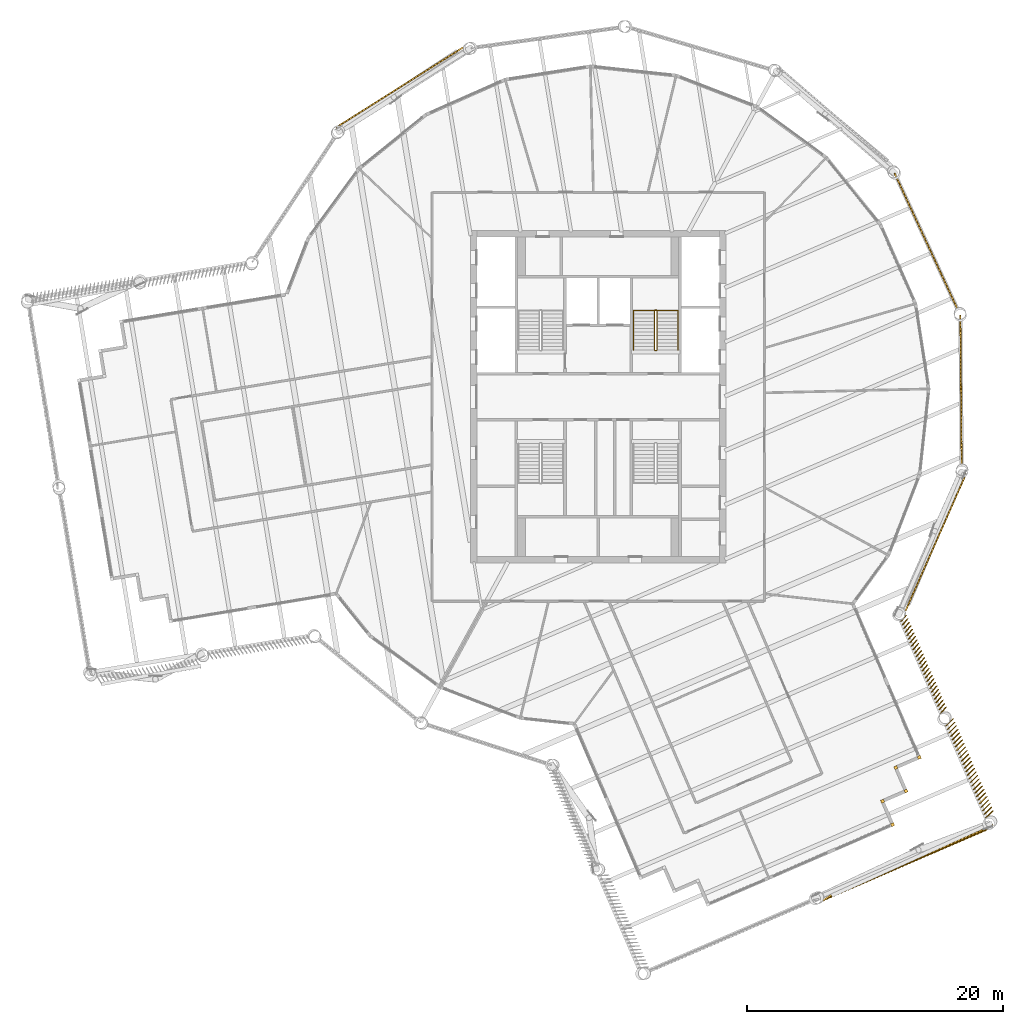
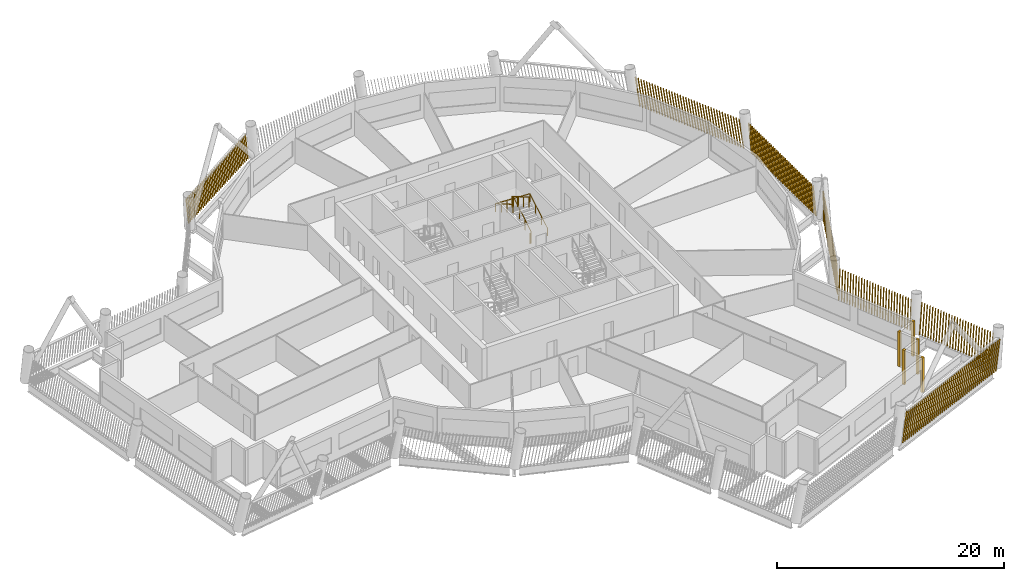
# One storey, part 21 of 23: 12 shading devices, 2 railings.
"""IFC4 building model written with IfcOpenShell, lengths in metres."""

from ifc_helpers import new_model, si_unit, direction, frame, frame_2d, origin, origin_2d, place, context, subcontext, project, spatial, rectangle, circle, composite_profile, extrude, material, type_object, element, save


model = new_model("IFC4")

# Units and contexts
model_context = context("Model", 3, precision=1e-05, world=origin(), true_north=direction((0.0, 1.0)))
body_context = subcontext(model_context, "Body", "Model", "MODEL_VIEW")
ifc_project = project(units=[si_unit("LENGTHUNIT", "METRE"), si_unit("AREAUNIT", "SQUARE_METRE"), si_unit("VOLUMEUNIT", "CUBIC_METRE"), si_unit("PLANEANGLEUNIT", "RADIAN"), si_unit("MASSUNIT", "GRAM", prefix="KILO")], contexts=[model_context])

# Site, building, storey
site_placement = place(None, origin())
site = spatial("IfcSite", under=ifc_project, at=site_placement, CompositionType="ELEMENT")
building_placement = place(site_placement, origin())
building = spatial("IfcBuilding", under=site, at=building_placement, Name="Tarsis Ring Headquarters", CompositionType="ELEMENT")
storey_placement = place(building_placement, frame((0.0, 0.0, 323.60009765625)))
storey = spatial("IfcBuildingStorey", under=building, at=storey_placement, Name="L76", CompositionType="ELEMENT", Elevation=323.60009765625)

# Railings
ifc_material_1 = material(Name="Steel S355", Category="steel")
railing_type_1 = type_object("IfcRailingType", Name="Core stair guard 1100", PredefinedType="GUARDRAIL", material=ifc_material_1)
railing_1_placement = place(storey_placement, frame((4.4599609375, 3.610107421875, 0.0)))
element("IfcRailing", 1, at=railing_1_placement, inside=storey, type_object=railing_type_1, Name="L76 ST2 stair guard 1", PredefinedType="GUARDRAIL", context=body_context, shape_type="SweptSolid", body=[
    extrude(circle(Radius=0.02392578125, at=origin_2d()), frame((0.0, 0.0, 1.076171875), z_axis=(1.0, 0.0, 0.0), x_axis=(0.0, 1.0, 0.0)), (0.0, 0.0, 1.0), 0.080078125),
    extrude(circle(Radius=0.02392578125, at=origin_2d()), frame((0.080078125, 0.0, 1.076171875), z_axis=(0.282693820306, 0.281314826061, 0.917031173188), x_axis=(-0.705375805398, 0.708833529934, 0.0)), (0.0, 0.0, 1.0), 0.177001953125),
    extrude(circle(Radius=0.02392578125, at=origin_2d()), frame((0.130126953125, 0.0498046875, 1.23828125), z_axis=(0.0, 0.864890721111, 0.501960198159), x_axis=(-1.0, 0.0, 0.0)), (0.0, 0.0, 1.0), 3.561279296875),
    extrude(circle(Radius=0.02392578125, at=origin_2d()), frame((0.130126953125, 3.1298828125, 3.02587890625), z_axis=(-0.707106781187, 0.707106781187, 0.0), x_axis=(-0.707106781187, -0.707106781187, 0.0)), (0.0, 0.0, 1.0), 0.07080078125),
    extrude(circle(Radius=0.02392578125, at=origin_2d()), frame((0.080078125, 3.179931640625, 3.02587890625), z_axis=(-1.0, 0.0, 0.0), x_axis=(0.0, -1.0, 0.0)), (0.0, 0.0, 1.0), 0.080078125),
    extrude(circle(Radius=0.02392578125, at=origin_2d()), frame((0.0, 3.179931640625, 3.02587890625), z_axis=(-0.282583949758, -0.282583949758, 0.916674763849), x_axis=(0.707106781187, -0.707106781187, 0.0)), (0.0, 0.0, 1.0), 0.177001953125),
    extrude(circle(Radius=0.02392578125, at=origin_2d()), frame((-0.050048828125, 3.1298828125, 3.1884765625), z_axis=(0.0, -0.864890721111, 0.501960198159), x_axis=(1.0, 0.0, 0.0)), (0.0, 0.0, 1.0), 3.561279296875),
    extrude(circle(Radius=0.02099609375, at=origin_2d()), origin(), (0.0, 0.0, 1.0), 1.052001953125),
    extrude(circle(Radius=0.02099609375, at=origin_2d()), frame((0.080078125, 0.0, 0.0)), (0.0, 0.0, 1.0), 1.052001953125),
    extrude(circle(Radius=0.02099609375, at=origin_2d()), frame((0.130126953125, 0.0498046875, 0.162353515625)), (0.0, 0.0, 1.0), 1.052001953125),
    extrude(circle(Radius=0.02099609375, at=origin_2d()), frame((0.130126953125, 1.076416015625, 0.75830078125)), (0.0, 0.0, 1.0), 1.052001953125),
    extrude(circle(Radius=0.02099609375, at=origin_2d()), frame((0.130126953125, 2.103271484375, 1.35400390625)), (0.0, 0.0, 1.0), 1.052001953125),
    extrude(circle(Radius=0.02099609375, at=origin_2d()), frame((0.130126953125, 3.1298828125, 1.949951171875)), (0.0, 0.0, 1.0), 1.052001953125),
    extrude(circle(Radius=0.02099609375, at=origin_2d()), frame((0.080078125, 3.179931640625, 1.949951171875)), (0.0, 0.0, 1.0), 1.052001953125),
    extrude(circle(Radius=0.02099609375, at=origin_2d()), frame((0.0, 3.179931640625, 1.949951171875)), (0.0, 0.0, 1.0), 1.052001953125),
    extrude(circle(Radius=0.02099609375, at=origin_2d()), frame((-0.050048828125, 3.1298828125, 2.1123046875)), (0.0, 0.0, 1.0), 1.052001953125),
    extrude(circle(Radius=0.02099609375, at=origin_2d()), frame((-0.050048828125, 2.103271484375, 2.708251953125)), (0.0, 0.0, 1.0), 1.052001953125),
    extrude(circle(Radius=0.02099609375, at=origin_2d()), frame((-0.050048828125, 1.076416015625, 3.303955078125)), (0.0, 0.0, 1.0), 1.052001953125),
    extrude(circle(Radius=0.02099609375, at=origin_2d()), frame((-0.050048828125, 0.0498046875, 3.89990234375)), (0.0, 0.0, 1.0), 1.052001953125),
])
railing_type_2 = type_object("IfcRailingType", Name="Core stair handrail 900", PredefinedType="HANDRAIL", material=ifc_material_1)
railing_2_placement = place(storey_placement, frame((6.25, 3.659912109375, 0.162353515625)))
element("IfcRailing", 2, at=railing_2_placement, inside=storey, type_object=railing_type_2, Name="L76 ST2 stair handrail 1", PredefinedType="HANDRAIL", context=body_context, shape_type="SweptSolid", body=[
    extrude(circle(Radius=0.02392578125, at=origin_2d()), frame((0.0, 0.0, 0.8759765625), z_axis=(0.0, 0.864890721111, 0.501960198159), x_axis=(-1.0, 0.0, 0.0)), (0.0, 0.0, 1.0), 3.561279296875),
    extrude(circle(Radius=0.02392578125, at=origin_2d()), frame((0.0, 3.080078125, 2.66357421875), z_axis=(-0.998925869279, 0.0, 0.04633689335), x_axis=(0.0, -1.0, 0.0)), (0.0, 0.0, 1.0), 3.503662109375),
    extrude(circle(Radius=0.02392578125, at=origin_2d()), frame((-3.5, 3.080078125, 2.82568359375), z_axis=(0.0, -0.864890721111, 0.501960198159), x_axis=(1.0, 0.0, 0.0)), (0.0, 0.0, 1.0), 3.561279296875),
    extrude(circle(Radius=0.02099609375, at=origin_2d()), origin(), (0.0, 0.0, 1.0), 0.851806640625),
    extrude(circle(Radius=0.02099609375, at=origin_2d()), frame((0.0, 1.026611328125, 0.595947265625)), (0.0, 0.0, 1.0), 0.851806640625),
    extrude(circle(Radius=0.02099609375, at=origin_2d()), frame((0.0, 2.053466796875, 1.191650390625)), (0.0, 0.0, 1.0), 0.851806640625),
    extrude(circle(Radius=0.02099609375, at=origin_2d()), frame((0.0, 3.080078125, 1.78759765625)), (0.0, 0.0, 1.0), 0.851806640625),
    extrude(circle(Radius=0.02099609375, at=origin_2d()), frame((-1.166748046875, 3.080078125, 1.841796875)), (0.0, 0.0, 1.0), 0.851806640625),
    extrude(circle(Radius=0.02099609375, at=origin_2d()), frame((-2.333251953125, 3.080078125, 1.895751953125)), (0.0, 0.0, 1.0), 0.851806640625),
    extrude(circle(Radius=0.02099609375, at=origin_2d()), frame((-3.5, 3.080078125, 1.949951171875)), (0.0, 0.0, 1.0), 0.851806640625),
    extrude(circle(Radius=0.02099609375, at=origin_2d()), frame((-3.5, 2.053466796875, 2.5458984375)), (0.0, 0.0, 1.0), 0.851806640625),
    extrude(circle(Radius=0.02099609375, at=origin_2d()), frame((-3.5, 1.026611328125, 3.1416015625)), (0.0, 0.0, 1.0), 0.851806640625),
    extrude(circle(Radius=0.02099609375, at=origin_2d()), frame((-3.5, 0.0, 3.737548828125)), (0.0, 0.0, 1.0), 0.851806640625),
])

# Shading devices
ifc_material_2 = material(Name="Terracotta baguette", Category="masonry")
shading_device_type_1 = type_object("IfcShadingDeviceType", Name="Terracotta baguette screen", PredefinedType="USERDEFINED", material=ifc_material_2)
shading_device_1_placement = place(storey_placement, frame((17.578125, -39.437744140625, 0.0), z_axis=(0.0, 0.0, 1.0), x_axis=(0.918036267138, 0.396497125166, 0.0)))
element("IfcShadingDevice", 3, at=shading_device_1_placement, inside=storey, type_object=shading_device_type_1, Name="Baguette screen L76-04", ObjectType="Terracotta baguette screen", PredefinedType="USERDEFINED", context=body_context, shape_type="SweptSolid", body=[
    extrude(composite_profile([rectangle(XDim=0.06005859375, YDim=0.1201171875, at=frame_2d((0.030029296875, 0.0))), rectangle(XDim=0.06005859375, YDim=0.1201171875, at=frame_2d((0.33544921875, 0.0))), rectangle(XDim=0.06005859375, YDim=0.1201171875, at=frame_2d((0.640625, 0.0))), rectangle(XDim=0.06005859375, YDim=0.1201171875, at=frame_2d((0.946044921875, 0.0))), rectangle(XDim=0.06005859375, YDim=0.1201171875, at=frame_2d((1.25146484375, 0.0))), rectangle(XDim=0.06005859375, YDim=0.1201171875, at=frame_2d((1.556640625, 0.0))), rectangle(XDim=0.06005859375, YDim=0.1201171875, at=frame_2d((1.862060546875, 0.0))), rectangle(XDim=0.06005859375, YDim=0.1201171875, at=frame_2d((2.16748046875, 0.0))), rectangle(XDim=0.06005859375, YDim=0.1201171875, at=frame_2d((2.47265625, 0.0))), rectangle(XDim=0.06005859375, YDim=0.1201171875, at=frame_2d((2.778076171875, 0.0))), rectangle(XDim=0.06005859375, YDim=0.1201171875, at=frame_2d((3.08349609375, 0.0))), rectangle(XDim=0.06005859375, YDim=0.1201171875, at=frame_2d((3.388671875, 0.0))), rectangle(XDim=0.06005859375, YDim=0.1201171875, at=frame_2d((3.694091796875, 0.0))), rectangle(XDim=0.06005859375, YDim=0.1201171875, at=frame_2d((3.99951171875, 0.0))), rectangle(XDim=0.06005859375, YDim=0.1201171875, at=frame_2d((4.3046875, 0.0))), rectangle(XDim=0.06005859375, YDim=0.1201171875, at=frame_2d((4.610107421875, 0.0))), rectangle(XDim=0.06005859375, YDim=0.1201171875, at=frame_2d((4.91552734375, 0.0))), rectangle(XDim=0.06005859375, YDim=0.1201171875, at=frame_2d((5.220703125, 0.0))), rectangle(XDim=0.06005859375, YDim=0.1201171875, at=frame_2d((5.526123046875, 0.0))), rectangle(XDim=0.06005859375, YDim=0.1201171875, at=frame_2d((5.83154296875, 0.0))), rectangle(XDim=0.06005859375, YDim=0.1201171875, at=frame_2d((6.13671875, 0.0))), rectangle(XDim=0.06005859375, YDim=0.1201171875, at=frame_2d((6.442138671875, 0.0))), rectangle(XDim=0.06005859375, YDim=0.1201171875, at=frame_2d((6.74755859375, 0.0))), rectangle(XDim=0.06005859375, YDim=0.1201171875, at=frame_2d((7.052734375, 0.0))), rectangle(XDim=0.06005859375, YDim=0.1201171875, at=frame_2d((7.358154296875, 0.0))), rectangle(XDim=0.06005859375, YDim=0.1201171875, at=frame_2d((7.66357421875, 0.0))), rectangle(XDim=0.06005859375, YDim=0.1201171875, at=frame_2d((7.96875, 0.0))), rectangle(XDim=0.06005859375, YDim=0.1201171875, at=frame_2d((8.274169921875, 0.0))), rectangle(XDim=0.06005859375, YDim=0.1201171875, at=frame_2d((8.57958984375, 0.0))), rectangle(XDim=0.06005859375, YDim=0.1201171875, at=frame_2d((8.884765625, 0.0))), rectangle(XDim=0.06005859375, YDim=0.1201171875, at=frame_2d((9.190185546875, 0.0))), rectangle(XDim=0.06005859375, YDim=0.1201171875, at=frame_2d((9.49560546875, 0.0))), rectangle(XDim=0.06005859375, YDim=0.1201171875, at=frame_2d((9.80078125, 0.0))), rectangle(XDim=0.06005859375, YDim=0.1201171875, at=frame_2d((10.106201171875, 0.0))), rectangle(XDim=0.06005859375, YDim=0.1201171875, at=frame_2d((10.41162109375, 0.0))), rectangle(XDim=0.06005859375, YDim=0.1201171875, at=frame_2d((10.716796875, 0.0))), rectangle(XDim=0.06005859375, YDim=0.1201171875, at=frame_2d((11.022216796875, 0.0))), rectangle(XDim=0.06005859375, YDim=0.1201171875, at=frame_2d((11.32763671875, 0.0))), rectangle(XDim=0.06005859375, YDim=0.1201171875, at=frame_2d((11.6328125, 0.0))), rectangle(XDim=0.06005859375, YDim=0.1201171875, at=frame_2d((11.938232421875, 0.0))), rectangle(XDim=0.06005859375, YDim=0.1201171875, at=frame_2d((12.24365234375, 0.0))), rectangle(XDim=0.06005859375, YDim=0.1201171875, at=frame_2d((12.548828125, 0.0))), rectangle(XDim=0.06005859375, YDim=0.1201171875, at=frame_2d((12.854248046875, 0.0))), rectangle(XDim=0.06005859375, YDim=0.1201171875, at=frame_2d((13.15966796875, 0.0))), rectangle(XDim=0.06005859375, YDim=0.1201171875, at=frame_2d((13.46484375, 0.0))), rectangle(XDim=0.06005859375, YDim=0.1201171875, at=frame_2d((13.770263671875, 0.0)))]), origin(), (0.254659036662, 0.046033123197, 0.965934638894), 3.072509765625),
])
shading_device_2_placement = place(storey_placement, frame((30.359130859375, -32.96435546875, 0.0), z_axis=(0.0, 0.0, 1.0), x_axis=(-0.39651496895, 0.918033799858, 0.0)))
element("IfcShadingDevice", 4, at=shading_device_2_placement, inside=storey, type_object=shading_device_type_1, Name="Baguette screen L76-05", ObjectType="Terracotta baguette screen", PredefinedType="USERDEFINED", context=body_context, shape_type="SweptSolid", body=[
    extrude(composite_profile([rectangle(XDim=0.06005859375, YDim=0.1201171875, at=frame_2d((0.030029296875, 0.0))), rectangle(XDim=0.06005859375, YDim=0.1201171875, at=frame_2d((0.33154296875, 0.0))), rectangle(XDim=0.06005859375, YDim=0.1201171875, at=frame_2d((0.63330078125, 0.0))), rectangle(XDim=0.06005859375, YDim=0.1201171875, at=frame_2d((0.934814453125, 0.0))), rectangle(XDim=0.06005859375, YDim=0.1201171875, at=frame_2d((1.236572265625, 0.0))), rectangle(XDim=0.06005859375, YDim=0.1201171875, at=frame_2d((1.5380859375, 0.0))), rectangle(XDim=0.06005859375, YDim=0.1201171875, at=frame_2d((1.83984375, 0.0))), rectangle(XDim=0.06005859375, YDim=0.1201171875, at=frame_2d((2.141357421875, 0.0))), rectangle(XDim=0.06005859375, YDim=0.1201171875, at=frame_2d((2.443115234375, 0.0))), rectangle(XDim=0.06005859375, YDim=0.1201171875, at=frame_2d((2.74462890625, 0.0))), rectangle(XDim=0.06005859375, YDim=0.1201171875, at=frame_2d((3.04638671875, 0.0))), rectangle(XDim=0.06005859375, YDim=0.1201171875, at=frame_2d((3.347900390625, 0.0))), rectangle(XDim=0.06005859375, YDim=0.1201171875, at=frame_2d((3.649658203125, 0.0))), rectangle(XDim=0.06005859375, YDim=0.1201171875, at=frame_2d((3.951171875, 0.0))), rectangle(XDim=0.06005859375, YDim=0.1201171875, at=frame_2d((4.252685546875, 0.0))), rectangle(XDim=0.06005859375, YDim=0.1201171875, at=frame_2d((4.554443359375, 0.0))), rectangle(XDim=0.06005859375, YDim=0.1201171875, at=frame_2d((4.85595703125, 0.0))), rectangle(XDim=0.06005859375, YDim=0.1201171875, at=frame_2d((5.15771484375, 0.0))), rectangle(XDim=0.06005859375, YDim=0.1201171875, at=frame_2d((5.459228515625, 0.0))), rectangle(XDim=0.06005859375, YDim=0.1201171875, at=frame_2d((5.760986328125, 0.0))), rectangle(XDim=0.06005859375, YDim=0.1201171875, at=frame_2d((6.0625, 0.0))), rectangle(XDim=0.06005859375, YDim=0.1201171875, at=frame_2d((6.3642578125, 0.0))), rectangle(XDim=0.06005859375, YDim=0.1201171875, at=frame_2d((6.665771484375, 0.0))), rectangle(XDim=0.06005859375, YDim=0.1201171875, at=frame_2d((6.967529296875, 0.0))), rectangle(XDim=0.06005859375, YDim=0.1201171875, at=frame_2d((7.26904296875, 0.0))), rectangle(XDim=0.06005859375, YDim=0.1201171875, at=frame_2d((7.57080078125, 0.0))), rectangle(XDim=0.06005859375, YDim=0.1201171875, at=frame_2d((7.872314453125, 0.0)))]), origin(), (0.089846360678, -0.226662432565, 0.969820485006), 3.06005859375),
])
shading_device_3_placement = place(storey_placement, frame((26.829345703125, -24.7919921875, 0.0), z_axis=(0.0, 0.0, 1.0), x_axis=(-0.396502718735, 0.91803633218, 0.0)))
element("IfcShadingDevice", 5, at=shading_device_3_placement, inside=storey, type_object=shading_device_type_1, Name="Baguette screen L76-06", ObjectType="Terracotta baguette screen", PredefinedType="USERDEFINED", context=body_context, shape_type="SweptSolid", body=[
    extrude(composite_profile([rectangle(XDim=0.06005859375, YDim=0.1201171875, at=frame_2d((0.030029296875, 0.0))), rectangle(XDim=0.06005859375, YDim=0.1201171875, at=frame_2d((0.33154296875, 0.0))), rectangle(XDim=0.06005859375, YDim=0.1201171875, at=frame_2d((0.63330078125, 0.0))), rectangle(XDim=0.06005859375, YDim=0.1201171875, at=frame_2d((0.934814453125, 0.0))), rectangle(XDim=0.06005859375, YDim=0.1201171875, at=frame_2d((1.236572265625, 0.0))), rectangle(XDim=0.06005859375, YDim=0.1201171875, at=frame_2d((1.5380859375, 0.0))), rectangle(XDim=0.06005859375, YDim=0.1201171875, at=frame_2d((1.83984375, 0.0))), rectangle(XDim=0.06005859375, YDim=0.1201171875, at=frame_2d((2.141357421875, 0.0))), rectangle(XDim=0.06005859375, YDim=0.1201171875, at=frame_2d((2.443115234375, 0.0))), rectangle(XDim=0.06005859375, YDim=0.1201171875, at=frame_2d((2.74462890625, 0.0))), rectangle(XDim=0.06005859375, YDim=0.1201171875, at=frame_2d((3.04638671875, 0.0))), rectangle(XDim=0.06005859375, YDim=0.1201171875, at=frame_2d((3.347900390625, 0.0))), rectangle(XDim=0.06005859375, YDim=0.1201171875, at=frame_2d((3.649658203125, 0.0))), rectangle(XDim=0.06005859375, YDim=0.1201171875, at=frame_2d((3.951171875, 0.0))), rectangle(XDim=0.06005859375, YDim=0.1201171875, at=frame_2d((4.252685546875, 0.0))), rectangle(XDim=0.06005859375, YDim=0.1201171875, at=frame_2d((4.554443359375, 0.0))), rectangle(XDim=0.06005859375, YDim=0.1201171875, at=frame_2d((4.85595703125, 0.0))), rectangle(XDim=0.06005859375, YDim=0.1201171875, at=frame_2d((5.15771484375, 0.0))), rectangle(XDim=0.06005859375, YDim=0.1201171875, at=frame_2d((5.459228515625, 0.0))), rectangle(XDim=0.06005859375, YDim=0.1201171875, at=frame_2d((5.760986328125, 0.0))), rectangle(XDim=0.06005859375, YDim=0.1201171875, at=frame_2d((6.0625, 0.0))), rectangle(XDim=0.06005859375, YDim=0.1201171875, at=frame_2d((6.3642578125, 0.0))), rectangle(XDim=0.06005859375, YDim=0.1201171875, at=frame_2d((6.665771484375, 0.0))), rectangle(XDim=0.06005859375, YDim=0.1201171875, at=frame_2d((6.967529296875, 0.0))), rectangle(XDim=0.06005859375, YDim=0.1201171875, at=frame_2d((7.26904296875, 0.0))), rectangle(XDim=0.06005859375, YDim=0.1201171875, at=frame_2d((7.57080078125, 0.0))), rectangle(XDim=0.06005859375, YDim=0.1201171875, at=frame_2d((7.872314453125, 0.0)))]), origin(), (0.09033343544, -0.175735020747, 0.980284179677), 3.02734375),
])
shading_device_4_placement = place(storey_placement, frame((24.04296875, -16.772705078125, 0.0), z_axis=(0.0, 0.0, 1.0), x_axis=(0.404145415084, 0.914704286489, 0.0)))
element("IfcShadingDevice", 6, at=shading_device_4_placement, inside=storey, type_object=shading_device_type_1, Name="Baguette screen L76-07", ObjectType="Terracotta baguette screen", PredefinedType="USERDEFINED", context=body_context, shape_type="SweptSolid", body=[
    extrude(composite_profile([rectangle(XDim=0.06005859375, YDim=0.1201171875, at=frame_2d((0.030029296875, 0.0))), rectangle(XDim=0.06005859375, YDim=0.1201171875, at=frame_2d((0.33251953125, 0.0))), rectangle(XDim=0.06005859375, YDim=0.1201171875, at=frame_2d((0.634765625, 0.0))), rectangle(XDim=0.06005859375, YDim=0.1201171875, at=frame_2d((0.937255859375, 0.0))), rectangle(XDim=0.06005859375, YDim=0.1201171875, at=frame_2d((1.239501953125, 0.0))), rectangle(XDim=0.06005859375, YDim=0.1201171875, at=frame_2d((1.5419921875, 0.0))), rectangle(XDim=0.06005859375, YDim=0.1201171875, at=frame_2d((1.844482421875, 0.0))), rectangle(XDim=0.06005859375, YDim=0.1201171875, at=frame_2d((2.146728515625, 0.0))), rectangle(XDim=0.06005859375, YDim=0.1201171875, at=frame_2d((2.44921875, 0.0))), rectangle(XDim=0.06005859375, YDim=0.1201171875, at=frame_2d((2.751708984375, 0.0))), rectangle(XDim=0.06005859375, YDim=0.1201171875, at=frame_2d((3.053955078125, 0.0))), rectangle(XDim=0.06005859375, YDim=0.1201171875, at=frame_2d((3.3564453125, 0.0))), rectangle(XDim=0.06005859375, YDim=0.1201171875, at=frame_2d((3.65869140625, 0.0))), rectangle(XDim=0.06005859375, YDim=0.1201171875, at=frame_2d((3.961181640625, 0.0))), rectangle(XDim=0.06005859375, YDim=0.1201171875, at=frame_2d((4.263671875, 0.0))), rectangle(XDim=0.06005859375, YDim=0.1201171875, at=frame_2d((4.56591796875, 0.0))), rectangle(XDim=0.06005859375, YDim=0.1201171875, at=frame_2d((4.868408203125, 0.0))), rectangle(XDim=0.06005859375, YDim=0.1201171875, at=frame_2d((5.1708984375, 0.0))), rectangle(XDim=0.06005859375, YDim=0.1201171875, at=frame_2d((5.47314453125, 0.0))), rectangle(XDim=0.06005859375, YDim=0.1201171875, at=frame_2d((5.775634765625, 0.0))), rectangle(XDim=0.06005859375, YDim=0.1201171875, at=frame_2d((6.077880859375, 0.0))), rectangle(XDim=0.06005859375, YDim=0.1201171875, at=frame_2d((6.38037109375, 0.0))), rectangle(XDim=0.06005859375, YDim=0.1201171875, at=frame_2d((6.682861328125, 0.0))), rectangle(XDim=0.06005859375, YDim=0.1201171875, at=frame_2d((6.985107421875, 0.0))), rectangle(XDim=0.06005859375, YDim=0.1201171875, at=frame_2d((7.28759765625, 0.0))), rectangle(XDim=0.06005859375, YDim=0.1201171875, at=frame_2d((7.590087890625, 0.0))), rectangle(XDim=0.06005859375, YDim=0.1201171875, at=frame_2d((7.892333984375, 0.0))), rectangle(XDim=0.06005859375, YDim=0.1201171875, at=frame_2d((8.19482421875, 0.0))), rectangle(XDim=0.06005859375, YDim=0.1201171875, at=frame_2d((8.4970703125, 0.0))), rectangle(XDim=0.06005859375, YDim=0.1201171875, at=frame_2d((8.799560546875, 0.0))), rectangle(XDim=0.06005859375, YDim=0.1201171875, at=frame_2d((9.10205078125, 0.0))), rectangle(XDim=0.06005859375, YDim=0.1201171875, at=frame_2d((9.404296875, 0.0))), rectangle(XDim=0.06005859375, YDim=0.1201171875, at=frame_2d((9.706787109375, 0.0))), rectangle(XDim=0.06005859375, YDim=0.1201171875, at=frame_2d((10.00927734375, 0.0))), rectangle(XDim=0.06005859375, YDim=0.1201171875, at=frame_2d((10.3115234375, 0.0))), rectangle(XDim=0.06005859375, YDim=0.1201171875, at=frame_2d((10.614013671875, 0.0))), rectangle(XDim=0.06005859375, YDim=0.1201171875, at=frame_2d((10.916259765625, 0.0))), rectangle(XDim=0.06005859375, YDim=0.1201171875, at=frame_2d((11.21875, 0.0)))]), origin(), (0.173295186446, 0.001568790913, 0.984868680205), 3.013427734375),
])
shading_device_5_placement = place(storey_placement, frame((28.44384765625, -5.37451171875, 0.0), z_axis=(0.0, 0.0, 1.0), x_axis=(-0.008790016278, 0.999956592512, 0.0)))
element("IfcShadingDevice", 7, at=shading_device_5_placement, inside=storey, type_object=shading_device_type_1, Name="Baguette screen L76-08", ObjectType="Terracotta baguette screen", PredefinedType="USERDEFINED", context=body_context, shape_type="SweptSolid", body=[
    extrude(composite_profile([rectangle(XDim=0.06005859375, YDim=0.1201171875, at=frame_2d((0.030029296875, 0.0))), rectangle(XDim=0.06005859375, YDim=0.1201171875, at=frame_2d((0.33251953125, 0.0))), rectangle(XDim=0.06005859375, YDim=0.1201171875, at=frame_2d((0.634765625, 0.0))), rectangle(XDim=0.06005859375, YDim=0.1201171875, at=frame_2d((0.937255859375, 0.0))), rectangle(XDim=0.06005859375, YDim=0.1201171875, at=frame_2d((1.239501953125, 0.0))), rectangle(XDim=0.06005859375, YDim=0.1201171875, at=frame_2d((1.5419921875, 0.0))), rectangle(XDim=0.06005859375, YDim=0.1201171875, at=frame_2d((1.844482421875, 0.0))), rectangle(XDim=0.06005859375, YDim=0.1201171875, at=frame_2d((2.146728515625, 0.0))), rectangle(XDim=0.06005859375, YDim=0.1201171875, at=frame_2d((2.44921875, 0.0))), rectangle(XDim=0.06005859375, YDim=0.1201171875, at=frame_2d((2.751708984375, 0.0))), rectangle(XDim=0.06005859375, YDim=0.1201171875, at=frame_2d((3.053955078125, 0.0))), rectangle(XDim=0.06005859375, YDim=0.1201171875, at=frame_2d((3.3564453125, 0.0))), rectangle(XDim=0.06005859375, YDim=0.1201171875, at=frame_2d((3.65869140625, 0.0))), rectangle(XDim=0.06005859375, YDim=0.1201171875, at=frame_2d((3.961181640625, 0.0))), rectangle(XDim=0.06005859375, YDim=0.1201171875, at=frame_2d((4.263671875, 0.0))), rectangle(XDim=0.06005859375, YDim=0.1201171875, at=frame_2d((4.56591796875, 0.0))), rectangle(XDim=0.06005859375, YDim=0.1201171875, at=frame_2d((4.868408203125, 0.0))), rectangle(XDim=0.06005859375, YDim=0.1201171875, at=frame_2d((5.1708984375, 0.0))), rectangle(XDim=0.06005859375, YDim=0.1201171875, at=frame_2d((5.47314453125, 0.0))), rectangle(XDim=0.06005859375, YDim=0.1201171875, at=frame_2d((5.775634765625, 0.0))), rectangle(XDim=0.06005859375, YDim=0.1201171875, at=frame_2d((6.077880859375, 0.0))), rectangle(XDim=0.06005859375, YDim=0.1201171875, at=frame_2d((6.38037109375, 0.0))), rectangle(XDim=0.06005859375, YDim=0.1201171875, at=frame_2d((6.682861328125, 0.0))), rectangle(XDim=0.06005859375, YDim=0.1201171875, at=frame_2d((6.985107421875, 0.0))), rectangle(XDim=0.06005859375, YDim=0.1201171875, at=frame_2d((7.28759765625, 0.0))), rectangle(XDim=0.06005859375, YDim=0.1201171875, at=frame_2d((7.590087890625, 0.0))), rectangle(XDim=0.06005859375, YDim=0.1201171875, at=frame_2d((7.892333984375, 0.0))), rectangle(XDim=0.06005859375, YDim=0.1201171875, at=frame_2d((8.19482421875, 0.0))), rectangle(XDim=0.06005859375, YDim=0.1201171875, at=frame_2d((8.4970703125, 0.0))), rectangle(XDim=0.06005859375, YDim=0.1201171875, at=frame_2d((8.799560546875, 0.0))), rectangle(XDim=0.06005859375, YDim=0.1201171875, at=frame_2d((9.10205078125, 0.0))), rectangle(XDim=0.06005859375, YDim=0.1201171875, at=frame_2d((9.404296875, 0.0))), rectangle(XDim=0.06005859375, YDim=0.1201171875, at=frame_2d((9.706787109375, 0.0))), rectangle(XDim=0.06005859375, YDim=0.1201171875, at=frame_2d((10.00927734375, 0.0))), rectangle(XDim=0.06005859375, YDim=0.1201171875, at=frame_2d((10.3115234375, 0.0))), rectangle(XDim=0.06005859375, YDim=0.1201171875, at=frame_2d((10.614013671875, 0.0))), rectangle(XDim=0.06005859375, YDim=0.1201171875, at=frame_2d((10.916259765625, 0.0))), rectangle(XDim=0.06005859375, YDim=0.1201171875, at=frame_2d((11.21875, 0.0)))]), origin(), (0.171100592788, 0.001552966931, 0.985252340998), 3.01220703125),
])
shading_device_6_placement = place(storey_placement, frame((28.130615234375, 6.82763671875, 0.0), z_axis=(0.0, 0.0, 1.0), x_axis=(-0.420206185567, 0.907433532284, 0.0)))
element("IfcShadingDevice", 8, at=shading_device_6_placement, inside=storey, type_object=shading_device_type_1, Name="Baguette screen L76-09", ObjectType="Terracotta baguette screen", PredefinedType="USERDEFINED", context=body_context, shape_type="SweptSolid", body=[
    extrude(composite_profile([rectangle(XDim=0.06005859375, YDim=0.1201171875, at=frame_2d((0.030029296875, 0.0))), rectangle(XDim=0.06005859375, YDim=0.1201171875, at=frame_2d((0.33251953125, 0.0))), rectangle(XDim=0.06005859375, YDim=0.1201171875, at=frame_2d((0.634765625, 0.0))), rectangle(XDim=0.06005859375, YDim=0.1201171875, at=frame_2d((0.937255859375, 0.0))), rectangle(XDim=0.06005859375, YDim=0.1201171875, at=frame_2d((1.239501953125, 0.0))), rectangle(XDim=0.06005859375, YDim=0.1201171875, at=frame_2d((1.5419921875, 0.0))), rectangle(XDim=0.06005859375, YDim=0.1201171875, at=frame_2d((1.844482421875, 0.0))), rectangle(XDim=0.06005859375, YDim=0.1201171875, at=frame_2d((2.146728515625, 0.0))), rectangle(XDim=0.06005859375, YDim=0.1201171875, at=frame_2d((2.44921875, 0.0))), rectangle(XDim=0.06005859375, YDim=0.1201171875, at=frame_2d((2.751708984375, 0.0))), rectangle(XDim=0.06005859375, YDim=0.1201171875, at=frame_2d((3.053955078125, 0.0))), rectangle(XDim=0.06005859375, YDim=0.1201171875, at=frame_2d((3.3564453125, 0.0))), rectangle(XDim=0.06005859375, YDim=0.1201171875, at=frame_2d((3.65869140625, 0.0))), rectangle(XDim=0.06005859375, YDim=0.1201171875, at=frame_2d((3.961181640625, 0.0))), rectangle(XDim=0.06005859375, YDim=0.1201171875, at=frame_2d((4.263671875, 0.0))), rectangle(XDim=0.06005859375, YDim=0.1201171875, at=frame_2d((4.56591796875, 0.0))), rectangle(XDim=0.06005859375, YDim=0.1201171875, at=frame_2d((4.868408203125, 0.0))), rectangle(XDim=0.06005859375, YDim=0.1201171875, at=frame_2d((5.1708984375, 0.0))), rectangle(XDim=0.06005859375, YDim=0.1201171875, at=frame_2d((5.47314453125, 0.0))), rectangle(XDim=0.06005859375, YDim=0.1201171875, at=frame_2d((5.775634765625, 0.0))), rectangle(XDim=0.06005859375, YDim=0.1201171875, at=frame_2d((6.077880859375, 0.0))), rectangle(XDim=0.06005859375, YDim=0.1201171875, at=frame_2d((6.38037109375, 0.0))), rectangle(XDim=0.06005859375, YDim=0.1201171875, at=frame_2d((6.682861328125, 0.0))), rectangle(XDim=0.06005859375, YDim=0.1201171875, at=frame_2d((6.985107421875, 0.0))), rectangle(XDim=0.06005859375, YDim=0.1201171875, at=frame_2d((7.28759765625, 0.0))), rectangle(XDim=0.06005859375, YDim=0.1201171875, at=frame_2d((7.590087890625, 0.0))), rectangle(XDim=0.06005859375, YDim=0.1201171875, at=frame_2d((7.892333984375, 0.0))), rectangle(XDim=0.06005859375, YDim=0.1201171875, at=frame_2d((8.19482421875, 0.0))), rectangle(XDim=0.06005859375, YDim=0.1201171875, at=frame_2d((8.4970703125, 0.0))), rectangle(XDim=0.06005859375, YDim=0.1201171875, at=frame_2d((8.799560546875, 0.0))), rectangle(XDim=0.06005859375, YDim=0.1201171875, at=frame_2d((9.10205078125, 0.0))), rectangle(XDim=0.06005859375, YDim=0.1201171875, at=frame_2d((9.404296875, 0.0))), rectangle(XDim=0.06005859375, YDim=0.1201171875, at=frame_2d((9.706787109375, 0.0))), rectangle(XDim=0.06005859375, YDim=0.1201171875, at=frame_2d((10.00927734375, 0.0))), rectangle(XDim=0.06005859375, YDim=0.1201171875, at=frame_2d((10.3115234375, 0.0))), rectangle(XDim=0.06005859375, YDim=0.1201171875, at=frame_2d((10.614013671875, 0.0))), rectangle(XDim=0.06005859375, YDim=0.1201171875, at=frame_2d((10.916259765625, 0.0))), rectangle(XDim=0.06005859375, YDim=0.1201171875, at=frame_2d((11.21875, 0.0)))]), origin(), (0.171102070389, 0.00154921104, 0.985252090307), 3.01220703125),
])
shading_device_7_placement = place(storey_placement, frame((-10.57958984375, 27.339599609375, 0.0), z_axis=(0.0, 0.0, 1.0), x_axis=(-0.846033640803, -0.533130765057, 0.0)))
element("IfcShadingDevice", 9, at=shading_device_7_placement, inside=storey, type_object=shading_device_type_1, Name="Baguette screen L76-13", ObjectType="Terracotta baguette screen", PredefinedType="USERDEFINED", context=body_context, shape_type="SweptSolid", body=[
    extrude(composite_profile([rectangle(XDim=0.06005859375, YDim=0.1201171875, at=frame_2d((0.030029296875, 0.0))), rectangle(XDim=0.06005859375, YDim=0.1201171875, at=frame_2d((0.33251953125, 0.0))), rectangle(XDim=0.06005859375, YDim=0.1201171875, at=frame_2d((0.634765625, 0.0))), rectangle(XDim=0.06005859375, YDim=0.1201171875, at=frame_2d((0.937255859375, 0.0))), rectangle(XDim=0.06005859375, YDim=0.1201171875, at=frame_2d((1.239501953125, 0.0))), rectangle(XDim=0.06005859375, YDim=0.1201171875, at=frame_2d((1.5419921875, 0.0))), rectangle(XDim=0.06005859375, YDim=0.1201171875, at=frame_2d((1.844482421875, 0.0))), rectangle(XDim=0.06005859375, YDim=0.1201171875, at=frame_2d((2.146728515625, 0.0))), rectangle(XDim=0.06005859375, YDim=0.1201171875, at=frame_2d((2.44921875, 0.0))), rectangle(XDim=0.06005859375, YDim=0.1201171875, at=frame_2d((2.751708984375, 0.0))), rectangle(XDim=0.06005859375, YDim=0.1201171875, at=frame_2d((3.053955078125, 0.0))), rectangle(XDim=0.06005859375, YDim=0.1201171875, at=frame_2d((3.3564453125, 0.0))), rectangle(XDim=0.06005859375, YDim=0.1201171875, at=frame_2d((3.65869140625, 0.0))), rectangle(XDim=0.06005859375, YDim=0.1201171875, at=frame_2d((3.961181640625, 0.0))), rectangle(XDim=0.06005859375, YDim=0.1201171875, at=frame_2d((4.263671875, 0.0))), rectangle(XDim=0.06005859375, YDim=0.1201171875, at=frame_2d((4.56591796875, 0.0))), rectangle(XDim=0.06005859375, YDim=0.1201171875, at=frame_2d((4.868408203125, 0.0))), rectangle(XDim=0.06005859375, YDim=0.1201171875, at=frame_2d((5.1708984375, 0.0))), rectangle(XDim=0.06005859375, YDim=0.1201171875, at=frame_2d((5.47314453125, 0.0))), rectangle(XDim=0.06005859375, YDim=0.1201171875, at=frame_2d((5.775634765625, 0.0))), rectangle(XDim=0.06005859375, YDim=0.1201171875, at=frame_2d((6.077880859375, 0.0))), rectangle(XDim=0.06005859375, YDim=0.1201171875, at=frame_2d((6.38037109375, 0.0))), rectangle(XDim=0.06005859375, YDim=0.1201171875, at=frame_2d((6.682861328125, 0.0))), rectangle(XDim=0.06005859375, YDim=0.1201171875, at=frame_2d((6.985107421875, 0.0))), rectangle(XDim=0.06005859375, YDim=0.1201171875, at=frame_2d((7.28759765625, 0.0))), rectangle(XDim=0.06005859375, YDim=0.1201171875, at=frame_2d((7.590087890625, 0.0))), rectangle(XDim=0.06005859375, YDim=0.1201171875, at=frame_2d((7.892333984375, 0.0))), rectangle(XDim=0.06005859375, YDim=0.1201171875, at=frame_2d((8.19482421875, 0.0))), rectangle(XDim=0.06005859375, YDim=0.1201171875, at=frame_2d((8.4970703125, 0.0))), rectangle(XDim=0.06005859375, YDim=0.1201171875, at=frame_2d((8.799560546875, 0.0))), rectangle(XDim=0.06005859375, YDim=0.1201171875, at=frame_2d((9.10205078125, 0.0))), rectangle(XDim=0.06005859375, YDim=0.1201171875, at=frame_2d((9.404296875, 0.0))), rectangle(XDim=0.06005859375, YDim=0.1201171875, at=frame_2d((9.706787109375, 0.0))), rectangle(XDim=0.06005859375, YDim=0.1201171875, at=frame_2d((10.00927734375, 0.0))), rectangle(XDim=0.06005859375, YDim=0.1201171875, at=frame_2d((10.3115234375, 0.0))), rectangle(XDim=0.06005859375, YDim=0.1201171875, at=frame_2d((10.614013671875, 0.0))), rectangle(XDim=0.06005859375, YDim=0.1201171875, at=frame_2d((10.916259765625, 0.0))), rectangle(XDim=0.06005859375, YDim=0.1201171875, at=frame_2d((11.21875, 0.0)))]), origin(), (0.17329394953, 0.001569862619, 0.984868896142), 3.013427734375),
])
shading_device_type_2 = type_object("IfcShadingDeviceType", Name="Terracotta corner baguette 250x250", PredefinedType="USERDEFINED", material=ifc_material_2)
for number, where, z_axis, x_axis, name in (
    (10, (23.040283203125, -33.484130859375, 0.0), (0.0, 0.0, 1.0), (0.918031670463, 0.396507064284, 0.0), "Corner baguette L76-12"),
    (11, (22.247314453125, -31.64794921875, 0.0), (0.0, 0.0, 1.0), (-0.396507304624, 0.918031566658, 0.0), "Corner baguette L76-13"),
    (12, (24.083251953125, -30.85498046875, 0.0), (0.0, 0.0, 1.0), (0.918031850392, 0.396506647694, 0.0), "Corner baguette L76-14"),
    (13, (23.290283203125, -29.018798828125, 0.0), (0.0, 0.0, 1.0), (-0.396507064284, 0.918031670463, 0.0), "Corner baguette L76-15"),
    (14, (25.126220703125, -28.225830078125, 0.0), (0.0, 0.0, 1.0), (0.918031566658, 0.396507304624, 0.0), "Corner baguette L76-16"),
):
    element("IfcShadingDevice", number, at=place(storey_placement, frame(where, z_axis=z_axis, x_axis=x_axis)), inside=storey, type_object=shading_device_type_2, Name=name, ObjectType="Terracotta corner baguette", PredefinedType="USERDEFINED", context=body_context, shape_type="SweptSolid", body=[
        extrude(rectangle(XDim=0.25, YDim=0.25, at=origin_2d()), origin(), (0.0, 0.0, 1.0), 3.739990234375),
    ])

save(model, "model.ifc")
